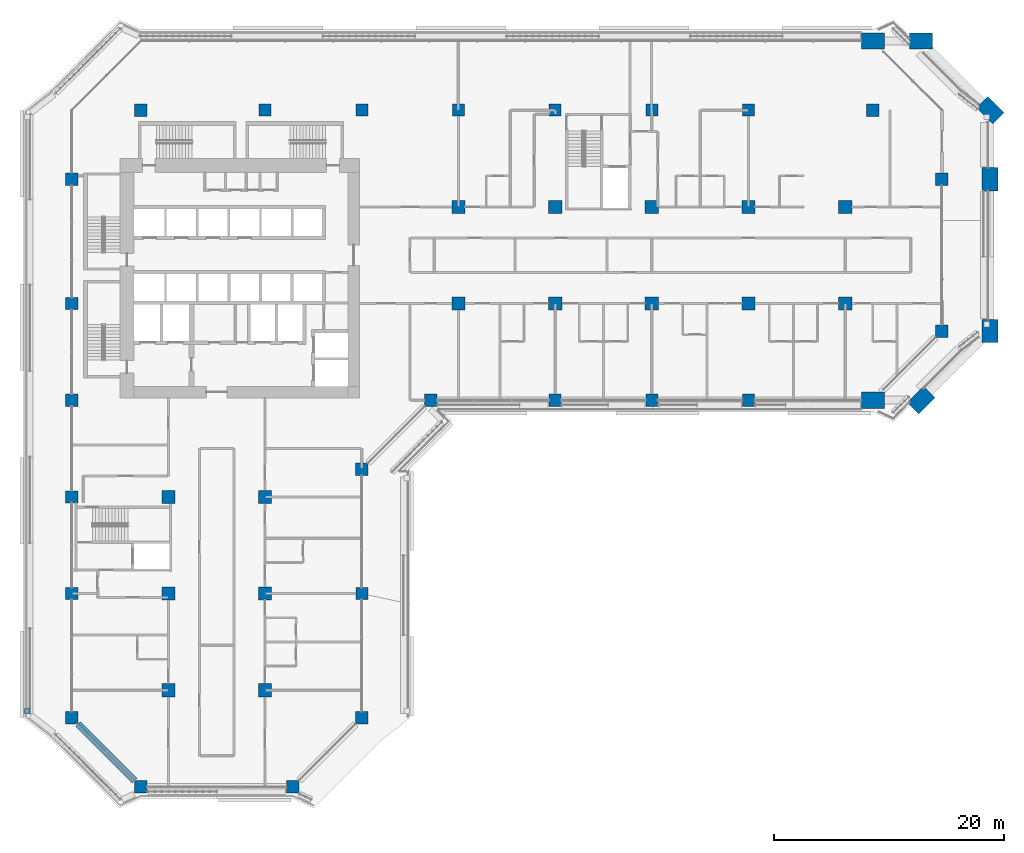
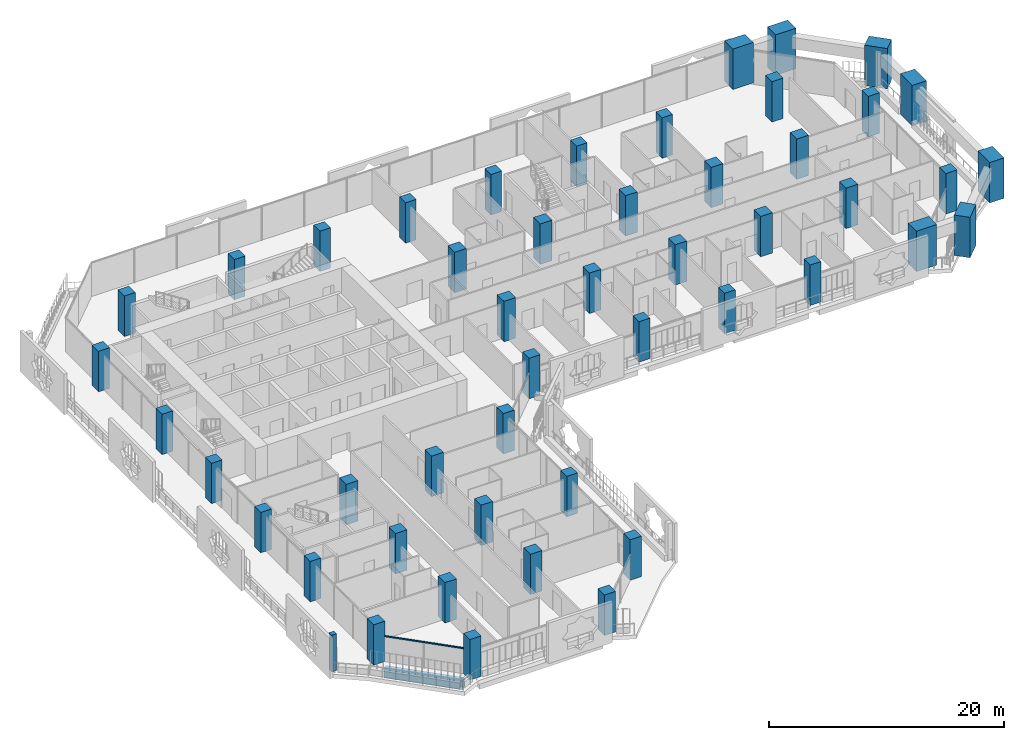
# One storey, part 1 of 27: 48 columns, 2 members, 1 beam, 2 elements without a shape of their own.
"""IFC4 building model written with IfcOpenShell, lengths in metres."""

from ifc_helpers import new_model, si_unit, direction, frame, origin, origin_2d, place, context, subcontext, project, spatial, rectangle, extrude, material, layer, layer_set, material_profile, profile_set, type_object, element, aggregate, save


model = new_model("IFC4")

# Units and contexts
model_context = context("Model", 3, precision=1e-05, world=origin(), true_north=direction((0.0, 1.0)))
body_context = subcontext(model_context, "Body", "Model", "MODEL_VIEW")
ifc_project = project(units=[si_unit("LENGTHUNIT", "METRE"), si_unit("AREAUNIT", "SQUARE_METRE"), si_unit("VOLUMEUNIT", "CUBIC_METRE"), si_unit("PLANEANGLEUNIT", "RADIAN"), si_unit("MASSUNIT", "GRAM", prefix="KILO")], contexts=[model_context])

# Site, building, storey
site_placement = place(None, origin())
site = spatial("IfcSite", under=ifc_project, at=site_placement, CompositionType="ELEMENT")
building_placement = place(site_placement, origin())
building = spatial("IfcBuilding", under=site, at=building_placement, Name="Kawkab Arch Medical Tower", CompositionType="ELEMENT")
storey_placement = place(building_placement, frame((0.0, 0.0, 115.60009765625)))
storey = spatial("IfcBuildingStorey", under=building, at=storey_placement, Name="L26", CompositionType="ELEMENT", Elevation=115.60009765625)

# Columns
ifc_material_1 = material(Name="Concrete C55/67", Category="concrete")
ifc_material_profile_1 = material_profile(ifc_material_1, rectangle(XDim=1.050048828125, YDim=1.050048828125, at=origin_2d()), Name="RC 1050x1050")
ifc_profile_set_1 = profile_set([ifc_material_profile_1], Name="Concrete C55/67")
column_type_1 = type_object("IfcColumnType", Name="RC 1050x1050 column C55/67", PredefinedType="COLUMN", material=ifc_profile_set_1)
for number, where, z_axis, x_axis, name in (
    (1, (16.800048828125, 0.0, 0.0), (0.0, 0.0, 1.0), (1.0, 0.0, 0.0), "Column RC 1050x1050"),
    (2, (25.199951171875, 0.0, 0.0), (0.0, 0.0, 1.0), (1.0, 0.0, 0.0), "Column RC 1050x1050"),
    (3, (33.60009765625, 0.0, 0.0), (0.0, 0.0, 1.0), (1.0, 0.0, 0.0), "Column RC 1050x1050"),
    (4, (42.0, 0.0, 0.0), (0.0, 0.0, 1.0), (1.0, 0.0, 0.0), "Column RC 1050x1050"),
    (5, (50.39990234375, 0.0, 0.0), (0.0, 0.0, 1.0), (1.0, 0.0, 0.0), "Column RC 1050x1050"),
    (6, (58.800048828125, 0.0, 0.0), (0.0, 0.0, 1.0), (1.0, 0.0, 0.0), "Column RC 1050x1050"),
    (7, (0.0, -16.800048828125, 0.0), (0.0, 0.0, 1.0), (1.0, 0.0, 0.0), "Column RC 1050x1050"),
    (8, (0.0, -25.199951171875, 0.0), (0.0, 0.0, 1.0), (1.0, 0.0, 0.0), "Column RC 1050x1050"),
    (9, (42.0, -25.199951171875, 0.0), (0.0, 0.0, 1.0), (1.0, 0.0, 0.0), "Column RC 1050x1050"),
    (10, (50.39990234375, -25.199951171875, 0.0), (0.0, 0.0, 1.0), (1.0, 0.0, 0.0), "Column RC 1050x1050"),
    (11, (58.800048828125, -25.199951171875, 0.0), (0.0, 0.0, 1.0), (1.0, 0.0, 0.0), "Column RC 1050x1050"),
    (12, (0.0, -33.60009765625, 0.0), (0.0, 0.0, 1.0), (1.0, 0.0, 0.0), "Column RC 1050x1050"),
    (13, (0.0, -42.0, 0.0), (0.0, 0.0, 1.0), (1.0, 0.0, 0.0), "Column RC 1050x1050"),
    (14, (25.199951171875, -42.0, 0.0), (0.0, 0.0, 1.0), (1.0, 0.0, 0.0), "Column RC 1050x1050"),
):
    element("IfcColumn", number, at=place(storey_placement, frame(where, z_axis=z_axis, x_axis=x_axis)), inside=storey, type_object=column_type_1, Name=name, PredefinedType="COLUMN", context=body_context, shape_type="SweptSolid", body=[
        extrude(rectangle(XDim=1.050048828125, YDim=1.050048828125, at=origin_2d()), origin(), (0.0, 0.0, 1.0), 4.199951171875),
    ])
ifc_material_2 = material(Name="Concrete C55/67", Category="concrete")
ifc_material_profile_2 = material_profile(ifc_material_2, rectangle(XDim=1.10009765625, YDim=1.10009765625, at=origin_2d()), Name="RC 1100x1100")
ifc_profile_set_2 = profile_set([ifc_material_profile_2], Name="Concrete C55/67")
column_type_2 = type_object("IfcColumnType", Name="RC 1100x1100 column C55/67", PredefinedType="COLUMN", material=ifc_profile_set_2)
for number, where, z_axis, x_axis, name in (
    (15, (6.0, 0.0, 0.0), (0.0, 0.0, 1.0), (1.0, 0.0, 0.0), "Column RC 1100x1100"),
    (16, (69.60009765625, 0.0, 0.0), (0.0, 0.0, 1.0), (1.0, 0.0, 0.0), "Column RC 1100x1100"),
    (17, (0.0, -6.0, 0.0), (0.0, 0.0, 1.0), (1.0, 0.0, 0.0), "Column RC 1100x1100"),
    (18, (75.60009765625, -6.0, 0.0), (0.0, 0.0, 1.0), (1.0, 0.0, 0.0), "Column RC 1100x1100"),
    (19, (75.60009765625, -19.199951171875, 0.0), (0.0, 0.0, 1.0), (1.0, 0.0, 0.0), "Column RC 1100x1100"),
    (20, (31.199951171875, -25.199951171875, 0.0), (0.0, 0.0, 1.0), (1.0, 0.0, 0.0), "Column RC 1100x1100"),
    (21, (25.199951171875, -31.199951171875, 0.0), (0.0, 0.0, 1.0), (1.0, 0.0, 0.0), "Column RC 1100x1100"),
    (22, (0.0, -52.800048828125, 0.0), (0.0, 0.0, 1.0), (1.0, 0.0, 0.0), "Column RC 1100x1100"),
    (23, (25.199951171875, -52.800048828125, 0.0), (0.0, 0.0, 1.0), (1.0, 0.0, 0.0), "Column RC 1100x1100"),
    (24, (6.0, -58.800048828125, 0.0), (0.0, 0.0, 1.0), (1.0, 0.0, 0.0), "Column RC 1100x1100"),
    (25, (19.199951171875, -58.800048828125, 0.0), (0.0, 0.0, 1.0), (1.0, 0.0, 0.0), "Column RC 1100x1100"),
):
    element("IfcColumn", number, at=place(storey_placement, frame(where, z_axis=z_axis, x_axis=x_axis)), inside=storey, type_object=column_type_2, Name=name, PredefinedType="COLUMN", context=body_context, shape_type="SweptSolid", body=[
        extrude(rectangle(XDim=1.10009765625, YDim=1.10009765625, at=origin_2d()), origin(), (0.0, 0.0, 1.0), 4.199951171875),
    ])
ifc_material_3 = material(Name="Concrete C55/67", Category="concrete")
ifc_material_profile_3 = material_profile(ifc_material_3, rectangle(XDim=1.14990234375, YDim=1.14990234375, at=origin_2d()), Name="RC 1150x1150")
ifc_profile_set_3 = profile_set([ifc_material_profile_3], Name="Concrete C55/67")
column_type_3 = type_object("IfcColumnType", Name="RC 1150x1150 column C55/67", PredefinedType="COLUMN", material=ifc_profile_set_3)
for number, where, z_axis, x_axis, name in (
    (26, (33.60009765625, -8.39990234375, 0.0), (0.0, 0.0, 1.0), (1.0, 0.0, 0.0), "Column RC 1150x1150"),
    (27, (42.0, -8.39990234375, 0.0), (0.0, 0.0, 1.0), (1.0, 0.0, 0.0), "Column RC 1150x1150"),
    (28, (50.39990234375, -8.39990234375, 0.0), (0.0, 0.0, 1.0), (1.0, 0.0, 0.0), "Column RC 1150x1150"),
    (29, (58.800048828125, -8.39990234375, 0.0), (0.0, 0.0, 1.0), (1.0, 0.0, 0.0), "Column RC 1150x1150"),
    (30, (67.199951171875, -8.39990234375, 0.0), (0.0, 0.0, 1.0), (1.0, 0.0, 0.0), "Column RC 1150x1150"),
    (31, (33.60009765625, -16.800048828125, 0.0), (0.0, 0.0, 1.0), (1.0, 0.0, 0.0), "Column RC 1150x1150"),
    (32, (42.0, -16.800048828125, 0.0), (0.0, 0.0, 1.0), (1.0, 0.0, 0.0), "Column RC 1150x1150"),
    (33, (50.39990234375, -16.800048828125, 0.0), (0.0, 0.0, 1.0), (1.0, 0.0, 0.0), "Column RC 1150x1150"),
    (34, (58.800048828125, -16.800048828125, 0.0), (0.0, 0.0, 1.0), (1.0, 0.0, 0.0), "Column RC 1150x1150"),
    (35, (67.199951171875, -16.800048828125, 0.0), (0.0, 0.0, 1.0), (1.0, 0.0, 0.0), "Column RC 1150x1150"),
    (36, (8.39990234375, -33.60009765625, 0.0), (0.0, 0.0, 1.0), (1.0, 0.0, 0.0), "Column RC 1150x1150"),
    (37, (16.800048828125, -33.60009765625, 0.0), (0.0, 0.0, 1.0), (1.0, 0.0, 0.0), "Column RC 1150x1150"),
    (38, (8.39990234375, -42.0, 0.0), (0.0, 0.0, 1.0), (1.0, 0.0, 0.0), "Column RC 1150x1150"),
    (39, (16.800048828125, -42.0, 0.0), (0.0, 0.0, 1.0), (1.0, 0.0, 0.0), "Column RC 1150x1150"),
    (40, (8.39990234375, -50.39990234375, 0.0), (0.0, 0.0, 1.0), (1.0, 0.0, 0.0), "Column RC 1150x1150"),
    (41, (16.800048828125, -50.39990234375, 0.0), (0.0, 0.0, 1.0), (1.0, 0.0, 0.0), "Column RC 1150x1150"),
):
    element("IfcColumn", number, at=place(storey_placement, frame(where, z_axis=z_axis, x_axis=x_axis)), inside=storey, type_object=column_type_3, Name=name, PredefinedType="COLUMN", context=body_context, shape_type="SweptSolid", body=[
        extrude(rectangle(XDim=1.14990234375, YDim=1.14990234375, at=origin_2d()), origin(), (0.0, 0.0, 1.0), 4.199951171875),
    ])
ifc_material_4 = material(Name="Concrete C55/67", Category="concrete")
ifc_material_profile_4 = material_profile(ifc_material_4, rectangle(XDim=2.0, YDim=1.39990234375, at=origin_2d()), Name="RC 2000x1400")
ifc_profile_set_4 = profile_set([ifc_material_profile_4], Name="Concrete C55/67")
column_type_4 = type_object("IfcColumnType", Name="RC 2000x1400 column C55/67", PredefinedType="COLUMN", material=ifc_profile_set_4)
for number, where, z_axis, x_axis, name in (
    (42, (69.60009765625, -25.199951171875, 0.0), (0.0, 0.0, 1.0), (-1.0, 0.0, 0.0), "Column RC 2000x1400"),
    (43, (69.60009765625, 6.0, 0.0), (0.0, 0.0, 1.0), (1.0, 0.0, 0.0), "Column RC 2000x1400"),
    (44, (73.800048828125, 6.0, 0.0), (0.0, 0.0, 1.0), (1.0, 0.0, 0.0), "Column RC 2000x1400"),
    (45, (79.800048828125, 0.0, 0.0), (0.0, 0.0, 1.0), (0.707106781187, -0.707106781187, 0.0), "Column RC 2000x1400"),
    (46, (79.800048828125, -6.0, 0.0), (0.0, 0.0, 1.0), (0.0, -1.0, 0.0), "Column RC 2000x1400"),
    (47, (79.800048828125, -19.199951171875, 0.0), (0.0, 0.0, 1.0), (0.0, -1.0, 0.0), "Column RC 2000x1400"),
    (48, (73.800048828125, -25.199951171875, 0.0), (0.0, 0.0, 1.0), (-0.707106781187, -0.707106781187, 0.0), "Column RC 2000x1400"),
):
    element("IfcColumn", number, at=place(storey_placement, frame(where, z_axis=z_axis, x_axis=x_axis)), inside=storey, type_object=column_type_4, Name=name, PredefinedType="COLUMN", context=body_context, shape_type="SweptSolid", body=[
        extrude(rectangle(XDim=2.0, YDim=1.39990234375, at=origin_2d()), origin(), (0.0, 0.0, 1.0), 4.199951171875),
    ])

# Curtain wall, member
ifc_material_5 = material(Name="Bronze anodised aluminium curtain wall frame", Category="aluminium")
ifc_layer_1 = layer(ifc_material_5, 0.159912109375)
ifc_layer_set_1 = layer_set([ifc_layer_1], Name="Bronze anodised aluminium curtain wall frame")
curtain_wall_type_1 = type_object("IfcCurtainWallType", Name="CW2 chamfer curtain wall", PredefinedType="NOTDEFINED", material=ifc_layer_set_1)
placement = place(storey_placement, origin())
curtain_wall_1 = element("IfcCurtainWall", 49, at=placement, inside=storey, type_object=curtain_wall_type_1, Name="CW2 Chamfer curtain wall R02", PredefinedType="NOTDEFINED")
ifc_material_6 = material(Name="Bronze anodised aluminium curtain wall frame", Category="aluminium")
ifc_material_profile_5 = material_profile(ifc_material_6, rectangle(XDim=0.06005859375, YDim=0.139892578125, at=origin_2d()), Name="AL 60x140")
ifc_profile_set_5 = profile_set([ifc_material_profile_5], Name="Bronze anodised aluminium curtain wall frame")
member_type_1 = type_object("IfcMemberType", Name="CW2 transom 140 x 60", PredefinedType="USERDEFINED", material=ifc_profile_set_5)
member_1_placement = place(storey_placement, frame((0.550048828125, -53.35009765625, 2.6298828125), z_axis=(0.707106781187, -0.707106781187, 0.0), x_axis=(0.707106781187, 0.707106781187, 0.0)))
member_1 = element("IfcMember", 50, at=member_1_placement, type_object=member_type_1, Name="CW2 transom 1", ObjectType="TRANSOM", PredefinedType="USERDEFINED", context=body_context, shape_type="SweptSolid", body=[
    extrude(rectangle(XDim=0.06005859375, YDim=0.139892578125, at=origin_2d()), origin(), (0.0, 0.0, 1.0), 6.929443359375),
])
aggregate(curtain_wall_1, [member_1])

ifc_material_7 = material(Name="Bronze anodised aluminium climber frame, planted", Category="aluminium")
ifc_layer_2 = layer(ifc_material_7, 0.449951171875)
ifc_layer_set_2 = layer_set([ifc_layer_2], Name="Bronze anodised aluminium climber frame, planted")
curtain_wall_type_2 = type_object("IfcCurtainWallType", Name="Planted climber frame", PredefinedType="NOTDEFINED", material=ifc_layer_set_2)
curtain_wall_2 = element("IfcCurtainWall", 51, at=placement, inside=storey, type_object=curtain_wall_type_2, Name="Planted climber frame L26", PredefinedType="NOTDEFINED")
ifc_material_8 = material(Name="Bronze anodised aluminium climber frame, planted", Category="aluminium")
ifc_material_profile_6 = material_profile(ifc_material_8, rectangle(XDim=0.449951171875, YDim=0.449951171875, at=origin_2d()), Name="Post 450x450")
ifc_profile_set_6 = profile_set([ifc_material_profile_6], Name="Bronze anodised aluminium climber frame, planted")
member_type_2 = type_object("IfcMemberType", Name="Planted climber post 450 x 450", PredefinedType="MULLION", material=ifc_profile_set_6)
member_2_placement = place(storey_placement, frame((-3.89990234375, -52.202880859375, 0.0), z_axis=(0.0, 0.0, 1.0), x_axis=(1.0, 0.0, 0.0)))
member_2 = element("IfcMember", 52, at=member_2_placement, type_object=member_type_2, Name="Planted climber post L26.LOG-01-01.1", PredefinedType="MULLION", context=body_context, shape_type="SweptSolid", body=[
    extrude(rectangle(XDim=0.449951171875, YDim=0.449951171875, at=origin_2d()), origin(), (0.0, 0.0, 1.0), 3.7998046875),
])
aggregate(curtain_wall_2, [member_2])

# Beam
ifc_material_9 = material(Name="Concrete C55/67", Category="concrete")
ifc_material_profile_7 = material_profile(ifc_material_9, rectangle(XDim=0.60009765625, YDim=0.89990234375, at=origin_2d()), Name="RC 600x900")
ifc_profile_set_7 = profile_set([ifc_material_profile_7], Name="Concrete C55/67")
beam_type = type_object("IfcBeamType", Name="RC 600x900 beam C55/67", PredefinedType="BEAM", material=ifc_profile_set_7)
beam_placement = place(storey_placement, frame((5.449951171875, -58.25, -1.050048828125), z_axis=(-0.707106781187, 0.707106781187, 0.0), x_axis=(-0.707106781187, -0.707106781187, 0.0)))
element("IfcBeam", 53, at=beam_placement, inside=storey, type_object=beam_type, Name="Overhang edge beam L26-09", PredefinedType="BEAM", context=body_context, shape_type="SweptSolid", body=[
    extrude(rectangle(XDim=0.60009765625, YDim=0.89990234375, at=origin_2d()), origin(), (0.0, 0.0, 1.0), 6.929443359375),
])

save(model, "model.ifc")
